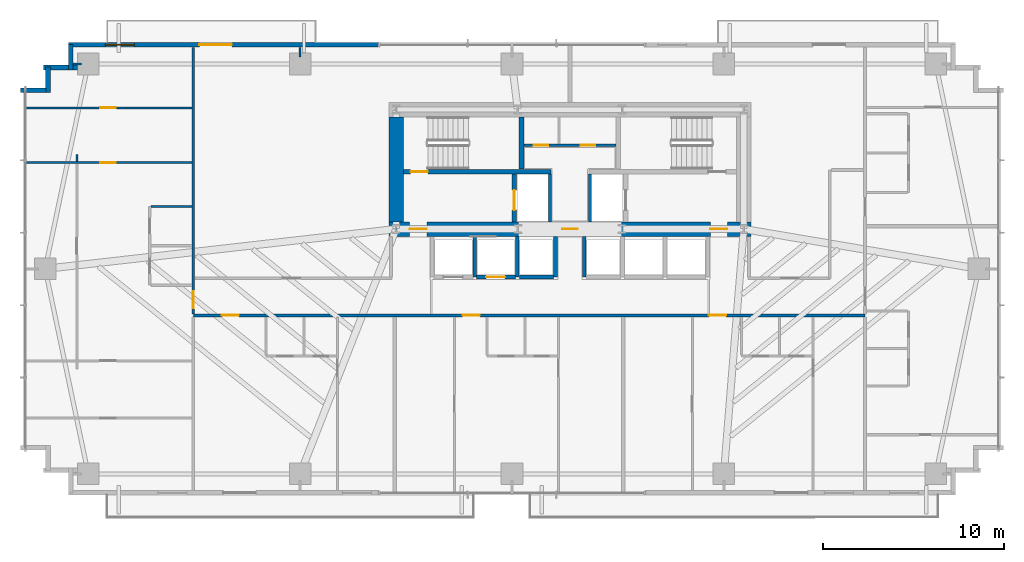
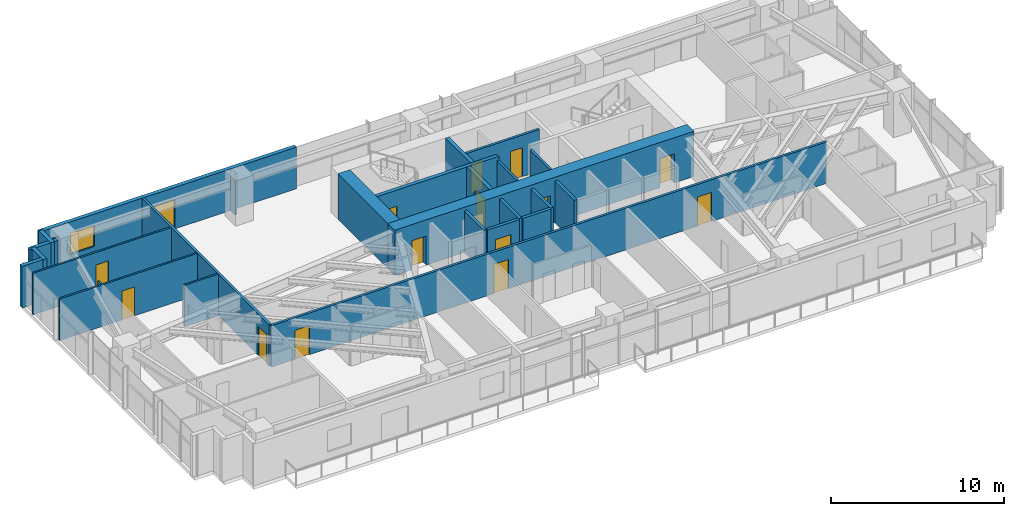
# One storey, part 20 of 25: 27 walls, 15 doors, 1 window, 16 openings.
"""IFC4 building model written with IfcOpenShell, lengths in metres."""

from ifc_helpers import new_model, si_unit, direction, frame, frame_2d, origin, place, context, subcontext, project, spatial, rectangle, extrude, source, transform, mapped, material, layer, layer_set, type_object, type_shapes, element, fill, save


model = new_model("IFC4")

# Units and contexts
model_context = context("Model", 3, precision=1e-05, world=origin(), true_north=direction((0.0, 1.0)))
body_context = subcontext(model_context, "Body", "Model", "MODEL_VIEW")
ifc_project = project(units=[si_unit("LENGTHUNIT", "METRE"), si_unit("AREAUNIT", "SQUARE_METRE"), si_unit("VOLUMEUNIT", "CUBIC_METRE"), si_unit("PLANEANGLEUNIT", "RADIAN"), si_unit("MASSUNIT", "GRAM", prefix="KILO")], contexts=[model_context])

# Site, building, storey
site_placement = place(None, origin())
site = spatial("IfcSite", under=ifc_project, at=site_placement, CompositionType="ELEMENT")
building_placement = place(site_placement, origin())
building = spatial("IfcBuilding", under=site, at=building_placement, Name="Astriad Promenade Condominiums", CompositionType="ELEMENT")
storey_placement = place(building_placement, frame((0.0, 0.0, 45.39990234375)))
storey = spatial("IfcBuildingStorey", under=building, at=storey_placement, Name="L12", CompositionType="ELEMENT", Elevation=45.39990234375)

# Wall, openings, doors
ifc_material_1 = material(Name="Concrete C80/95", Category="concrete")
ifc_layer_1 = layer(ifc_material_1, 0.800048828125)
ifc_layer_set_1 = layer_set([ifc_layer_1], Name="Concrete C80/95")
wall_type_1 = type_object("IfcWallType", Name="CW-SHEAR-800", PredefinedType="SHEAR", material=ifc_layer_set_1)
wall_1_placement = place(storey_placement, frame((26.0, 17.39990234375, 0.0), z_axis=(0.0, 0.0, 1.0), x_axis=(1.0, 0.0, 0.0)))
wall_1 = element("IfcWall", 1, at=wall_1_placement, inside=storey, type_object=wall_type_1, Name="CW-CORE-S-L12", PredefinedType="SHEAR", context=body_context, shape_type="SweptSolid", body=[
    extrude(rectangle(XDim=20.0, YDim=0.800048828125, at=frame_2d((10.0, 0.0))), origin(), (0.0, 0.0, 1.0), 3.2001953125),
])
opening_1_placement = place(wall_1_placement, frame((1.14990234375, 0.0, 0.0)))
opening_1 = element("IfcOpeningElement", 2, at=opening_1_placement, cuts=wall_1, Name="Opening FD90-ST-095", PredefinedType="OPENING", context=body_context, shape_type="SweptSolid", body=[
    extrude(rectangle(XDim=0.949951171875, YDim=2.06005859375, at=frame_2d((0.47509765625, 1.030029296875))), frame((0.0, 0.409912109375, 0.0), z_axis=(0.0, -1.0, 0.0), x_axis=(1.0, 0.0, 0.0)), (0.0, 0.0, 1.0), 0.820068359375),
])
opening_2_placement = place(wall_1_placement, frame((9.580078125, 0.0, 0.0)))
opening_2 = element("IfcOpeningElement", 3, at=opening_2_placement, cuts=wall_1, Name="Opening FD60-ULOW-085", PredefinedType="OPENING", context=body_context, shape_type="SweptSolid", body=[
    extrude(rectangle(XDim=0.85009765625, YDim=2.0, at=frame_2d((0.425048828125, 1.0))), frame((0.0, 0.409912109375, 0.0), z_axis=(0.0, -1.0, 0.0), x_axis=(1.0, 0.0, 0.0)), (0.0, 0.0, 1.0), 0.820068359375),
])
opening_3_placement = place(wall_1_placement, frame((17.75, 0.0, 0.0)))
opening_3 = element("IfcOpeningElement", 4, at=opening_3_placement, cuts=wall_1, Name="Opening FD90-ST-095", PredefinedType="OPENING", context=body_context, shape_type="SweptSolid", body=[
    extrude(rectangle(XDim=0.949951171875, YDim=2.06005859375, at=frame_2d((0.47509765625, 1.030029296875))), frame((0.0, 0.409912109375, 0.0), z_axis=(0.0, -1.0, 0.0), x_axis=(1.0, 0.0, 0.0)), (0.0, 0.0, 1.0), 0.820068359375),
])
ifc_material_2 = material(Name="Fire-Rated Hollow Metal Stair Door")
door_type_1 = type_object("IfcDoorType", Name="FD90-ST-095", OperationType="NOTDEFINED", PredefinedType="DOOR", material=ifc_material_2)
shared_shape_1 = source(origin(), body_context, "Body", "SweptSolid", [
    extrude(rectangle(XDim=0.949951171875, YDim=2.06005859375, at=frame_2d((0.47509765625, 1.030029296875))), frame((0.0, 0.02490234375, 0.0), z_axis=(0.0, -1.0, 0.0), x_axis=(1.0, 0.0, 0.0)), (0.0, 0.0, 1.0), 0.050048828125),
])
type_shapes(door_type_1, [shared_shape_1])
door_1_placement = place(opening_1_placement, origin())
door_1 = element("IfcDoor", 5, at=door_1_placement, inside=storey, type_object=door_type_1, Name="D-FFW-L12", OperationType="SINGLE_SWING_LEFT", OverallHeight=2.06005859375, OverallWidth=0.949951171875, PredefinedType="DOOR", context=body_context, shape_type="MappedRepresentation", body=[
    mapped(shared_shape_1, transform((0.0, 0.0, 0.0), scale=1.0)),
])
fill(opening_1, door_1)
door_2_placement = place(opening_3_placement, origin())
door_2 = element("IfcDoor", 6, at=door_2_placement, inside=storey, type_object=door_type_1, Name="D-FFE-L12", OperationType="SINGLE_SWING_RIGHT", OverallHeight=2.06005859375, OverallWidth=0.949951171875, PredefinedType="DOOR", context=body_context, shape_type="MappedRepresentation", body=[
    mapped(shared_shape_1, transform((0.0, 0.0, 0.0), scale=1.0)),
])
fill(opening_3, door_2)
ifc_material_3 = material(Name="Solid-Core Low-Headroom Fire Door")
door_type_2 = type_object("IfcDoorType", Name="FD60-ULOW-085", OperationType="NOTDEFINED", PredefinedType="DOOR", material=ifc_material_3)
shared_shape_2 = source(origin(), body_context, "Body", "SweptSolid", [
    extrude(rectangle(XDim=0.85009765625, YDim=2.0, at=frame_2d((0.425048828125, 1.0))), frame((0.0, 0.02490234375, 0.0), z_axis=(0.0, -1.0, 0.0), x_axis=(1.0, 0.0, 0.0)), (0.0, 0.0, 1.0), 0.050048828125),
])
type_shapes(door_type_2, [shared_shape_2])
door_3_placement = place(opening_2_placement, origin())
door_3 = element("IfcDoor", 7, at=door_3_placement, inside=storey, type_object=door_type_2, Name="D-CSL-L12", OperationType="SINGLE_SWING_RIGHT", OverallHeight=2.0, OverallWidth=0.85009765625, PredefinedType="DOOR", context=body_context, shape_type="MappedRepresentation", body=[
    mapped(shared_shape_2, transform((0.0, 0.0, 0.0), scale=1.0)),
])
fill(opening_2, door_3)

# Wall
wall_2_placement = place(storey_placement, frame((26.39990234375, 17.802001953125, 0.0), z_axis=(0.0, 0.0, 1.0), x_axis=(0.0, 1.0, 0.0)))
element("IfcWall", 8, at=wall_2_placement, inside=storey, type_object=wall_type_1, Name="CW-CORE-W-L12", PredefinedType="SHEAR", context=body_context, shape_type="SweptSolid", body=[
    extrude(rectangle(XDim=5.7958984375, YDim=0.800048828125, at=frame_2d((2.89794921875, 0.0))), origin(), (0.0, 0.0, 1.0), 3.2001953125),
])

# Wall, opening, door
ifc_material_4 = material(Name="Concrete C50/60", Category="concrete")
ifc_layer_2 = layer(ifc_material_4, 0.25)
ifc_layer_set_2 = layer_set([ifc_layer_2], Name="Concrete C50/60")
wall_type_2 = type_object("IfcWallType", Name="WALL-CORE-INT-250", PredefinedType="SOLIDWALL", material=ifc_layer_set_2)
wall_3_placement = place(storey_placement, frame((26.802001953125, 20.574951171875, 0.0), z_axis=(0.0, 0.0, 1.0), x_axis=(1.0, 0.0, 0.0)))
wall_3 = element("IfcWall", 9, at=wall_3_placement, inside=storey, type_object=wall_type_2, Name="CW-INT-H1-L12", PredefinedType="SOLIDWALL", context=body_context, shape_type="SweptSolid", body=[
    extrude(rectangle(XDim=8.14794921875, YDim=0.25, at=frame_2d((4.073974609375, 0.0))), origin(), (0.0, 0.0, 1.0), 3.2001953125),
])
opening_4_placement = place(wall_3_placement, frame((0.39794921875, 0.0, 0.0)))
opening_4 = element("IfcOpeningElement", 10, at=opening_4_placement, cuts=wall_3, Name="Opening FD90-ST-095", PredefinedType="OPENING", context=body_context, shape_type="SweptSolid", body=[
    extrude(rectangle(XDim=0.949951171875, YDim=2.06005859375, at=frame_2d((0.47509765625, 1.030029296875))), frame((0.0, 0.135009765625, 0.0), z_axis=(0.0, -1.0, 0.0), x_axis=(1.0, 0.0, 0.0)), (0.0, 0.0, 1.0), 0.27001953125),
])
door_4_placement = place(opening_4_placement, origin())
door_4 = element("IfcDoor", 11, at=door_4_placement, inside=storey, type_object=door_type_1, Name="D-ST1-L12", OperationType="SINGLE_SWING_LEFT", OverallHeight=2.06005859375, OverallWidth=0.949951171875, PredefinedType="DOOR", context=body_context, shape_type="MappedRepresentation", body=[
    mapped(shared_shape_1, transform((0.0, 0.0, 0.0), scale=1.0)),
])
fill(opening_4, door_4)

# Wall
wall_4_placement = place(storey_placement, frame((33.324951171875, 20.701904296875, 0.0), z_axis=(0.0, 0.0, 1.0), x_axis=(0.0, 1.0, 0.0)))
element("IfcWall", 12, at=wall_4_placement, inside=storey, type_object=wall_type_2, Name="CW-ST1-E-L12", PredefinedType="SOLIDWALL", context=body_context, shape_type="SweptSolid", body=[
    extrude(rectangle(XDim=2.89599609375, YDim=0.25, at=frame_2d((1.447998046875, 0.0))), origin(), (0.0, 0.0, 1.0), 3.2001953125),
])

# Wall, opening, door
wall_5_placement = place(storey_placement, frame((32.925048828125, 17.802001953125, 0.0), z_axis=(0.0, 0.0, 1.0), x_axis=(0.0, 1.0, 0.0)))
wall_5 = element("IfcWall", 13, at=wall_5_placement, inside=storey, type_object=wall_type_2, Name="CW-FFL1-W-L12", PredefinedType="SOLIDWALL", context=body_context, shape_type="SweptSolid", body=[
    extrude(rectangle(XDim=2.64599609375, YDim=0.25, at=frame_2d((1.322998046875, 0.0))), origin(), (0.0, 0.0, 1.0), 3.2001953125),
])
opening_5_placement = place(wall_5_placement, frame((0.64794921875, 0.0, 0.0)))
opening_5 = element("IfcOpeningElement", 14, at=opening_5_placement, cuts=wall_5, Name="Opening LD-FFL-1122", PredefinedType="OPENING", context=body_context, shape_type="SweptSolid", body=[
    extrude(rectangle(XDim=1.10009765625, YDim=2.080078125, at=frame_2d((0.550048828125, 1.0400390625))), frame((0.0, 0.135009765625, 0.0), z_axis=(0.0, -1.0, 0.0), x_axis=(1.0, 0.0, 0.0)), (0.0, 0.0, 1.0), 0.27001953125),
])
ifc_material_5 = material(Name="Brushed Stainless Steel Fire Elevator Landing Door", Category="steel")
door_type_3 = type_object("IfcDoorType", Name="LD-FFL-1122", OperationType="NOTDEFINED", PredefinedType="DOOR", material=ifc_material_5)
shared_shape_3 = source(origin(), body_context, "Body", "SweptSolid", [
    extrude(rectangle(XDim=1.10009765625, YDim=2.080078125, at=frame_2d((0.550048828125, 1.0400390625))), frame((0.0, 0.02490234375, 0.0), z_axis=(0.0, -1.0, 0.0), x_axis=(1.0, 0.0, 0.0)), (0.0, 0.0, 1.0), 0.050048828125),
])
type_shapes(door_type_3, [shared_shape_3])
door_5_placement = place(opening_5_placement, origin())
door_5 = element("IfcDoor", 15, at=door_5_placement, inside=storey, type_object=door_type_3, Name="Elevator Landing Door FFL-1 (L12)", OperationType="SLIDING_TO_LEFT", OverallHeight=2.080078125, OverallWidth=1.10009765625, PredefinedType="DOOR", context=body_context, shape_type="MappedRepresentation", body=[
    mapped(shared_shape_3, transform((0.0, 0.0, 0.0), scale=1.0)),
])
fill(opening_5, door_5)

# Walls
ifc_material_6 = material(Name="Fire-Rated Gypsum Partition")
ifc_layer_3 = layer(ifc_material_6, 0.159912109375)
ifc_layer_set_3 = layer_set([ifc_layer_3], Name="Fire-Rated Gypsum Partition")
wall_type_3 = type_object("IfcWallType", Name="WALL-CORR-160", PredefinedType="PARTITIONING", material=ifc_layer_set_3)
for number, where, z_axis, x_axis, name in (
    (16, (34.89990234375, 17.802001953125, 0.0), (0.0, 0.0, 1.0), (0.0, 1.0, 0.0), "CW-FFL1-E-L12"),
    (17, (37.10009765625, 17.802001953125, 0.0), (0.0, 0.0, 1.0), (0.0, 1.0, 0.0), "CW-FFL2-W-L12"),
):
    element("IfcWall", number, at=place(storey_placement, frame(where, z_axis=z_axis, x_axis=x_axis)), inside=storey, type_object=wall_type_3, Name=name, PredefinedType="PARTITIONING", context=body_context, shape_type="SweptSolid", body=[
        extrude(rectangle(XDim=2.64599609375, YDim=0.159912109375, at=frame_2d((1.322998046875, 0.0))), origin(), (0.0, 0.0, 1.0), 2.940185546875),
    ])

# Wall, openings, doors
wall_6_placement = place(storey_placement, frame((33.451904296875, 22.030029296875, 0.0), z_axis=(0.0, 0.0, 1.0), x_axis=(1.0, 0.0, 0.0)))
wall_6 = element("IfcWall", 18, at=wall_6_placement, inside=storey, type_object=wall_type_3, Name="CW-AUX-N-L12", PredefinedType="PARTITIONING", context=body_context, shape_type="SweptSolid", body=[
    extrude(rectangle(XDim=5.09619140625, YDim=0.159912109375, at=frame_2d((2.548095703125, 0.0))), origin(), (0.0, 0.0, 1.0), 2.940185546875),
])
opening_6_placement = place(wall_6_placement, frame((0.5380859375, 0.0, 0.0)))
opening_6 = element("IfcOpeningElement", 19, at=opening_6_placement, cuts=wall_6, Name="Opening FD60-SV-080", PredefinedType="OPENING", context=body_context, shape_type="SweptSolid", body=[
    extrude(rectangle(XDim=0.800048828125, YDim=2.050048828125, at=frame_2d((0.39990234375, 1.02490234375))), frame((0.0, 0.08984375, 0.0), z_axis=(0.0, -1.0, 0.0), x_axis=(1.0, 0.0, 0.0)), (0.0, 0.0, 1.0), 0.179931640625),
])
opening_7_placement = place(wall_6_placement, frame((3.157958984375, 0.0, 0.0)))
opening_7 = element("IfcOpeningElement", 20, at=opening_7_placement, cuts=wall_6, Name="Opening FD60-SV-080", PredefinedType="OPENING", context=body_context, shape_type="SweptSolid", body=[
    extrude(rectangle(XDim=0.800048828125, YDim=2.050048828125, at=frame_2d((0.39990234375, 1.02490234375))), frame((0.0, 0.08984375, 0.0), z_axis=(0.0, -1.0, 0.0), x_axis=(1.0, 0.0, 0.0)), (0.0, 0.0, 1.0), 0.179931640625),
])
ifc_material_7 = material(Name="Fire-Rated Riser Closet Door")
door_type_4 = type_object("IfcDoorType", Name="FD60-SV-080", OperationType="NOTDEFINED", PredefinedType="DOOR", material=ifc_material_7)
shared_shape_4 = source(origin(), body_context, "Body", "SweptSolid", [
    extrude(rectangle(XDim=0.800048828125, YDim=2.050048828125, at=frame_2d((0.39990234375, 1.02490234375))), frame((0.0, 0.02490234375, 0.0), z_axis=(0.0, -1.0, 0.0), x_axis=(1.0, 0.0, 0.0)), (0.0, 0.0, 1.0), 0.050048828125),
])
type_shapes(door_type_4, [shared_shape_4])
door_6_placement = place(opening_6_placement, origin())
door_6 = element("IfcDoor", 21, at=door_6_placement, inside=storey, type_object=door_type_4, Name="D-AUX1-L12", OperationType="SINGLE_SWING_LEFT", OverallHeight=2.050048828125, OverallWidth=0.800048828125, PredefinedType="DOOR", context=body_context, shape_type="MappedRepresentation", body=[
    mapped(shared_shape_4, transform((0.0, 0.0, 0.0), scale=1.0)),
])
fill(opening_6, door_6)
door_7_placement = place(opening_7_placement, origin())
door_7 = element("IfcDoor", 22, at=door_7_placement, inside=storey, type_object=door_type_4, Name="D-AUX2-L12", OperationType="SINGLE_SWING_RIGHT", OverallHeight=2.050048828125, OverallWidth=0.800048828125, PredefinedType="DOOR", context=body_context, shape_type="MappedRepresentation", body=[
    mapped(shared_shape_4, transform((0.0, 0.0, 0.0), scale=1.0)),
])
fill(opening_7, door_7)

wall_7_placement = place(storey_placement, frame((15.199951171875, 12.6298828125, 0.0), z_axis=(0.0, 0.0, 1.0), x_axis=(1.0, 0.0, 0.0)))
wall_7 = element("IfcWall", 23, at=wall_7_placement, inside=storey, type_object=wall_type_3, Name="PT-COR-S-L12", PredefinedType="PARTITIONING", context=body_context, shape_type="SweptSolid", body=[
    extrude(rectangle(XDim=37.10009765625, YDim=0.159912109375, at=frame_2d((18.550048828125, 0.0))), origin(), (0.0, 0.0, 1.0), 2.940185546875),
])
opening_8_placement = place(wall_7_placement, frame((1.572021484375, 0.0, 0.0)))
opening_8 = element("IfcOpeningElement", 24, at=opening_8_placement, cuts=wall_7, Name="Opening FD60-APT-095", PredefinedType="OPENING", context=body_context, shape_type="SweptSolid", body=[
    extrude(rectangle(XDim=0.949951171875, YDim=2.06005859375, at=frame_2d((0.47509765625, 1.030029296875))), frame((0.0, 0.08984375, 0.0), z_axis=(0.0, -1.0, 0.0), x_axis=(1.0, 0.0, 0.0)), (0.0, 0.0, 1.0), 0.179931640625),
])
opening_9_placement = place(wall_7_placement, frame((14.876953125, 0.0, 0.0)))
opening_9 = element("IfcOpeningElement", 25, at=opening_9_placement, cuts=wall_7, Name="Opening FD60-APT-095", PredefinedType="OPENING", context=body_context, shape_type="SweptSolid", body=[
    extrude(rectangle(XDim=0.949951171875, YDim=2.06005859375, at=frame_2d((0.47509765625, 1.030029296875))), frame((0.0, 0.08984375, 0.0), z_axis=(0.0, -1.0, 0.0), x_axis=(1.0, 0.0, 0.0)), (0.0, 0.0, 1.0), 0.179931640625),
])
opening_10_placement = place(wall_7_placement, frame((28.47607421875, 0.0, 0.0)))
opening_10 = element("IfcOpeningElement", 26, at=opening_10_placement, cuts=wall_7, Name="Opening FD60-APT-095", PredefinedType="OPENING", context=body_context, shape_type="SweptSolid", body=[
    extrude(rectangle(XDim=0.949951171875, YDim=2.06005859375, at=frame_2d((0.47509765625, 1.030029296875))), frame((0.0, 0.08984375, 0.0), z_axis=(0.0, -1.0, 0.0), x_axis=(1.0, 0.0, 0.0)), (0.0, 0.0, 1.0), 0.179931640625),
])
ifc_material_8 = material(Name="Solid-Core Acoustic Timber Residence Entry Door", Category="wood")
door_type_5 = type_object("IfcDoorType", Name="FD60-APT-095", OperationType="NOTDEFINED", PredefinedType="DOOR", material=ifc_material_8)
shared_shape_5 = source(origin(), body_context, "Body", "SweptSolid", [
    extrude(rectangle(XDim=0.949951171875, YDim=2.06005859375, at=frame_2d((0.47509765625, 1.030029296875))), frame((0.0, 0.02490234375, 0.0), z_axis=(0.0, -1.0, 0.0), x_axis=(1.0, 0.0, 0.0)), (0.0, 0.0, 1.0), 0.050048828125),
])
type_shapes(door_type_5, [shared_shape_5])
door_8_placement = place(opening_8_placement, origin())
door_8 = element("IfcDoor", 27, at=door_8_placement, inside=storey, type_object=door_type_5, Name="D-ENT-L12-S1", OperationType="SINGLE_SWING_LEFT", OverallHeight=2.06005859375, OverallWidth=0.949951171875, PredefinedType="DOOR", context=body_context, shape_type="MappedRepresentation", body=[
    mapped(shared_shape_5, transform((0.0, 0.0, 0.0), scale=1.0)),
])
fill(opening_8, door_8)
door_9_placement = place(opening_9_placement, origin())
door_9 = element("IfcDoor", 28, at=door_9_placement, inside=storey, type_object=door_type_5, Name="D-ENT-L12-S2", OperationType="SINGLE_SWING_RIGHT", OverallHeight=2.06005859375, OverallWidth=0.949951171875, PredefinedType="DOOR", context=body_context, shape_type="MappedRepresentation", body=[
    mapped(shared_shape_5, transform((0.0, 0.0, 0.0), scale=1.0)),
])
fill(opening_9, door_9)
door_10_placement = place(opening_10_placement, origin())
door_10 = element("IfcDoor", 29, at=door_10_placement, inside=storey, type_object=door_type_5, Name="D-ENT-L12-S3", OperationType="SINGLE_SWING_LEFT", OverallHeight=2.06005859375, OverallWidth=0.949951171875, PredefinedType="DOOR", context=body_context, shape_type="MappedRepresentation", body=[
    mapped(shared_shape_5, transform((0.0, 0.0, 0.0), scale=1.0)),
])
fill(opening_10, door_10)

# Wall, opening, door
wall_8_placement = place(storey_placement, frame((15.199951171875, 12.7119140625, 0.0), z_axis=(0.0, 0.0, 1.0), x_axis=(0.0, 1.0, 0.0)))
wall_8 = element("IfcWall", 30, at=wall_8_placement, inside=storey, type_object=wall_type_3, Name="PT-COR-W-L12-S2", PredefinedType="PARTITIONING", context=body_context, shape_type="SweptSolid", body=[
    extrude(rectangle(XDim=14.72607421875, YDim=0.159912109375, at=frame_2d((7.363037109375, 0.0))), origin(), (0.0, 0.0, 1.0), 2.940185546875),
])
opening_11_placement = place(wall_8_placement, frame((0.31201171875, 0.0, 0.0)))
opening_11 = element("IfcOpeningElement", 31, at=opening_11_placement, cuts=wall_8, Name="Opening FD60-APT-095", PredefinedType="OPENING", context=body_context, shape_type="SweptSolid", body=[
    extrude(rectangle(XDim=0.949951171875, YDim=2.06005859375, at=frame_2d((0.47509765625, 1.030029296875))), frame((0.0, 0.08984375, 0.0), z_axis=(0.0, -1.0, 0.0), x_axis=(1.0, 0.0, 0.0)), (0.0, 0.0, 1.0), 0.179931640625),
])
door_11_placement = place(opening_11_placement, origin())
door_11 = element("IfcDoor", 32, at=door_11_placement, inside=storey, type_object=door_type_5, Name="D-ENT-L12-W1", OperationType="SINGLE_SWING_LEFT", OverallHeight=2.06005859375, OverallWidth=0.949951171875, PredefinedType="DOOR", context=body_context, shape_type="MappedRepresentation", body=[
    mapped(shared_shape_5, transform((0.0, 0.0, 0.0), scale=1.0)),
])
fill(opening_11, door_11)

# Walls
ifc_material_9 = material(Name="Precast concrete C50/60", Category="concrete")
ifc_layer_4 = layer(ifc_material_9, 0.260009765625)
ifc_layer_set_4 = layer_set([ifc_layer_4], Name="Precast concrete C50/60")
wall_type_4 = type_object("IfcWallType", Name="WALL-EXT-TWR-260", PredefinedType="STANDARD", material=ifc_layer_set_4)
for number, where, z_axis, x_axis, name in (
    (33, (5.669921875, 25.070068359375, 0.0), (0.0, 0.0, 1.0), (1.0, 0.0, 0.0), "W-SER-L12-04"),
    (34, (7.179931640625, 24.93994140625, 0.0), (0.0, 0.0, 1.0), (0.0, 1.0, 0.0), "W-SER-L12-05"),
):
    element("IfcWall", number, at=place(storey_placement, frame(where, z_axis=z_axis, x_axis=x_axis)), inside=storey, type_object=wall_type_4, Name=name, PredefinedType="STANDARD", context=body_context, shape_type="SweptSolid", body=[
        extrude(rectangle(XDim=1.39501953125, YDim=0.260009765625, at=frame_2d((0.697509765625, 0.0))), origin(), (0.0, 0.0, 1.0), 2.940185546875),
    ])
wall_9_placement = place(storey_placement, frame((6.919921875, 26.320068359375, 0.0), z_axis=(0.0, 0.0, 1.0), x_axis=(1.0, 0.0, 0.0)))
element("IfcWall", 35, at=wall_9_placement, inside=storey, type_object=wall_type_4, Name="W-SER-L12-06", PredefinedType="STANDARD", context=body_context, shape_type="SweptSolid", body=[
    extrude(rectangle(XDim=1.878173828125, YDim=0.260009765625, at=frame_2d((0.93896484375, 0.0))), origin(), (0.0, 0.0, 1.0), 2.940185546875),
])
wall_10_placement = place(storey_placement, frame((8.429931640625, 26.18994140625, 0.0), z_axis=(0.0, 0.0, 1.0), x_axis=(0.0, 1.0, 0.0)))
element("IfcWall", 36, at=wall_10_placement, inside=storey, type_object=wall_type_4, Name="W-SER-L12-07", PredefinedType="STANDARD", context=body_context, shape_type="SweptSolid", body=[
    extrude(rectangle(XDim=1.39501953125, YDim=0.260009765625, at=frame_2d((0.697509765625, 0.0))), origin(), (0.0, 0.0, 1.0), 2.940185546875),
])

# Wall, openings, door, window
wall_11_placement = place(storey_placement, frame((8.300048828125, 27.570068359375, 0.0), z_axis=(0.0, 0.0, 1.0), x_axis=(1.0, 0.0, 0.0)))
wall_11 = element("IfcWall", 37, at=wall_11_placement, inside=storey, type_object=wall_type_4, Name="W-EXT-L12-N1", PredefinedType="STANDARD", context=body_context, shape_type="SweptSolid", body=[
    extrude(rectangle(XDim=17.14990234375, YDim=0.260009765625, at=frame_2d((8.574951171875, 0.0))), origin(), (0.0, 0.0, 1.0), 2.940185546875),
])
opening_12_placement = place(wall_11_placement, frame((7.236083984375, 0.0, 0.0)))
opening_12 = element("IfcOpeningElement", 38, at=opening_12_placement, cuts=wall_11, Name="Opening BD-1822-SLD", PredefinedType="OPENING", context=body_context, shape_type="SweptSolid", body=[
    extrude(rectangle(XDim=1.800048828125, YDim=2.06005859375, at=frame_2d((0.89990234375, 1.030029296875))), frame((0.0, 0.139892578125, 0.0), z_axis=(0.0, -1.0, 0.0), x_axis=(1.0, 0.0, 0.0)), (0.0, 0.0, 1.0), 0.280029296875),
])
opening_13_placement = place(wall_11_placement, frame((2.050048828125, 0.0, 0.64990234375)))
opening_13 = element("IfcOpeningElement", 39, at=opening_13_placement, cuts=wall_11, Name="Opening WIN-TWR-1620", PredefinedType="OPENING", context=body_context, shape_type="SweptSolid", body=[
    extrude(rectangle(XDim=1.60009765625, YDim=1.5, at=frame_2d((0.800048828125, 0.75))), frame((0.0, 0.139892578125, 0.0), z_axis=(0.0, -1.0, 0.0), x_axis=(1.0, 0.0, 0.0)), (0.0, 0.0, 1.0), 0.280029296875),
])
ifc_material_10 = material(Name="Thermally Broken Aluminium Sliding Balcony Door", Category="aluminium")
door_type_6 = type_object("IfcDoorType", Name="BD-1822-SLD", OperationType="NOTDEFINED", PredefinedType="DOOR", material=ifc_material_10)
shared_shape_6 = source(origin(), body_context, "Body", "SweptSolid", [
    extrude(rectangle(XDim=1.800048828125, YDim=2.06005859375, at=frame_2d((0.89990234375, 1.030029296875))), frame((0.0, 0.02490234375, 0.0), z_axis=(0.0, -1.0, 0.0), x_axis=(1.0, 0.0, 0.0)), (0.0, 0.0, 1.0), 0.050048828125),
])
type_shapes(door_type_6, [shared_shape_6])
door_12_placement = place(opening_12_placement, origin())
door_12 = element("IfcDoor", 40, at=door_12_placement, inside=storey, type_object=door_type_6, Name="BD-L12-NW", OperationType="SLIDING_TO_LEFT", OverallHeight=2.06005859375, OverallWidth=1.800048828125, PredefinedType="DOOR", context=body_context, shape_type="MappedRepresentation", body=[
    mapped(shared_shape_6, transform((0.0, 0.0, 0.0), scale=1.0)),
])
fill(opening_12, door_12)
ifc_material_11 = material(Name="Dark Tinted Triple-Glazed Aluminium Window", Category="aluminium")
window_type = type_object("IfcWindowType", Name="WIN-TWR-1620", PartitioningType="SINGLE_PANEL", PredefinedType="WINDOW", material=ifc_material_11)
shared_shape_7 = source(origin(), body_context, "Body", "SweptSolid", [
    extrude(rectangle(XDim=1.60009765625, YDim=1.5, at=frame_2d((0.800048828125, 0.75))), frame((0.0, 0.030029296875, 0.0), z_axis=(0.0, -1.0, 0.0), x_axis=(1.0, 0.0, 0.0)), (0.0, 0.0, 1.0), 0.06005859375),
])
type_shapes(window_type, [shared_shape_7])
window_placement = place(opening_13_placement, origin())
window = element("IfcWindow", 41, at=window_placement, inside=storey, type_object=window_type, Name="WIN-L12-NW", OverallHeight=1.5, OverallWidth=1.60009765625, PartitioningType="SINGLE_PANEL", PredefinedType="WINDOW", context=body_context, shape_type="MappedRepresentation", body=[
    mapped(shared_shape_7, transform((0.0, 0.0, 0.0), scale=1.0)),
])
fill(opening_13, window)

# Wall
ifc_material_12 = material(Name="Acoustic Metal-Stud Gypsum Partition")
ifc_layer_5 = layer(ifc_material_12, 0.1201171875)
ifc_layer_set_5 = layer_set([ifc_layer_5], Name="Acoustic Metal-Stud Gypsum Partition")
wall_type_5 = type_object("IfcWallType", Name="WALL-PART-120", PredefinedType="PARTITIONING", material=ifc_layer_set_5)
wall_12_placement = place(storey_placement, frame((12.862060546875, 18.64892578125, 0.0), z_axis=(0.0, 0.0, 1.0), x_axis=(1.0, 0.0, 0.0)))
element("IfcWall", 42, at=wall_12_placement, inside=storey, type_object=wall_type_5, Name="PT-L12-W1-PN", PredefinedType="PARTITIONING", context=body_context, shape_type="SweptSolid", body=[
    extrude(rectangle(XDim=2.255859375, YDim=0.1201171875, at=frame_2d((1.1279296875, 0.0))), origin(), (0.0, 0.0, 1.0), 2.940185546875),
])

# Wall, opening, door
wall_13_placement = place(storey_placement, frame((5.8798828125, 24.090087890625, 0.0), z_axis=(0.0, 0.0, 1.0), x_axis=(1.0, 0.0, 0.0)))
wall_13 = element("IfcWall", 43, at=wall_13_placement, inside=storey, type_object=wall_type_5, Name="PT-L12-W1-B1", PredefinedType="PARTITIONING", context=body_context, shape_type="SweptSolid", body=[
    extrude(rectangle(XDim=9.238037109375, YDim=0.1201171875, at=frame_2d((4.619140625, 0.0))), origin(), (0.0, 0.0, 1.0), 2.940185546875),
])
opening_14_placement = place(wall_13_placement, frame((4.18505859375, 0.0, 0.0)))
opening_14 = element("IfcOpeningElement", 44, at=opening_14_placement, cuts=wall_13, Name="Opening D-INT-085", PredefinedType="OPENING", context=body_context, shape_type="SweptSolid", body=[
    extrude(rectangle(XDim=0.85009765625, YDim=2.050048828125, at=frame_2d((0.425048828125, 1.02490234375))), frame((0.0, 0.070068359375, 0.0), z_axis=(0.0, -1.0, 0.0), x_axis=(1.0, 0.0, 0.0)), (0.0, 0.0, 1.0), 0.14013671875),
])
ifc_material_13 = material(Name="Painted Solid-Core Timber Room Door", Category="wood")
door_type_7 = type_object("IfcDoorType", Name="D-INT-085", OperationType="NOTDEFINED", PredefinedType="DOOR", material=ifc_material_13)
shared_shape_8 = source(origin(), body_context, "Body", "SweptSolid", [
    extrude(rectangle(XDim=0.85009765625, YDim=2.050048828125, at=frame_2d((0.425048828125, 1.02490234375))), frame((0.0, 0.02490234375, 0.0), z_axis=(0.0, -1.0, 0.0), x_axis=(1.0, 0.0, 0.0)), (0.0, 0.0, 1.0), 0.050048828125),
])
type_shapes(door_type_7, [shared_shape_8])
door_13_placement = place(opening_14_placement, origin())
door_13 = element("IfcDoor", 45, at=door_13_placement, inside=storey, type_object=door_type_7, Name="D-BD1-L12-W1", OperationType="SINGLE_SWING_RIGHT", OverallHeight=2.050048828125, OverallWidth=0.85009765625, PredefinedType="DOOR", context=body_context, shape_type="MappedRepresentation", body=[
    mapped(shared_shape_8, transform((0.0, 0.0, 0.0), scale=1.0)),
])
fill(opening_14, door_13)

wall_14_placement = place(storey_placement, frame((5.8798828125, 21.070068359375, 0.0), z_axis=(0.0, 0.0, 1.0), x_axis=(1.0, 0.0, 0.0)))
wall_14 = element("IfcWall", 46, at=wall_14_placement, inside=storey, type_object=wall_type_5, Name="PT-L12-W1-WDN3", PredefinedType="PARTITIONING", context=body_context, shape_type="SweptSolid", body=[
    extrude(rectangle(XDim=9.238037109375, YDim=0.1201171875, at=frame_2d((4.619140625, 0.0))), origin(), (0.0, 0.0, 1.0), 2.940185546875),
])
opening_15_placement = place(wall_14_placement, frame((4.18505859375, 0.0, 0.0)))
opening_15 = element("IfcOpeningElement", 47, at=opening_15_placement, cuts=wall_14, Name="Opening D-INT-085", PredefinedType="OPENING", context=body_context, shape_type="SweptSolid", body=[
    extrude(rectangle(XDim=0.85009765625, YDim=2.050048828125, at=frame_2d((0.425048828125, 1.02490234375))), frame((0.0, 0.070068359375, 0.0), z_axis=(0.0, -1.0, 0.0), x_axis=(1.0, 0.0, 0.0)), (0.0, 0.0, 1.0), 0.14013671875),
])
door_14_placement = place(opening_15_placement, origin())
door_14 = element("IfcDoor", 48, at=door_14_placement, inside=storey, type_object=door_type_7, Name="D-WDN3-L12-W1", OperationType="SINGLE_SWING_LEFT", OverallHeight=2.050048828125, OverallWidth=0.85009765625, PredefinedType="DOOR", context=body_context, shape_type="MappedRepresentation", body=[
    mapped(shared_shape_8, transform((0.0, 0.0, 0.0), scale=1.0)),
])
fill(opening_15, door_14)

# Walls
wall_15_placement = place(storey_placement, frame((8.77490234375, 21.132080078125, 0.0), z_axis=(0.0, 0.0, 1.0), x_axis=(0.0, 1.0, 0.0)))
element("IfcWall", 49, at=wall_15_placement, inside=storey, type_object=wall_type_5, Name="PT-L12-W1-WDV4-S3", PredefinedType="PARTITIONING", context=body_context, shape_type="SweptSolid", body=[
    extrude(rectangle(XDim=0.3779296875, YDim=0.1201171875, at=frame_2d((0.18896484375, 0.0))), origin(), (0.0, 0.0, 1.0), 2.940185546875),
])
wall_16_placement = place(storey_placement, frame((9.02001953125, 26.52001953125, 0.0), z_axis=(0.0, 0.0, 1.0), x_axis=(-1.0, 0.0, 0.0)))
element("IfcWall", 50, at=wall_16_placement, inside=storey, type_object=wall_type_5, Name="PT-PIL-L12-PC06-13", PredefinedType="PARTITIONING", context=body_context, shape_type="SweptSolid", body=[
    extrude(rectangle(XDim=0.4580078125, YDim=0.1201171875, at=frame_2d((0.22900390625, 0.0))), origin(), (0.0, 0.0, 1.0), 2.940185546875),
])
wall_17_placement = place(storey_placement, frame((21.10009765625, 26.89990234375, 0.0), z_axis=(0.0, 0.0, 1.0), x_axis=(0.0, 1.0, 0.0)))
element("IfcWall", 51, at=wall_17_placement, inside=storey, type_object=wall_type_5, Name="PT-PIL-L12-PC07-14", PredefinedType="PARTITIONING", context=body_context, shape_type="SweptSolid", body=[
    extrude(rectangle(XDim=0.5380859375, YDim=0.1201171875, at=frame_2d((0.26904296875, 0.0))), origin(), (0.0, 0.0, 1.0), 2.940185546875),
])
ifc_material_14 = material(Name="Gypsum Shaftliner Assembly")
ifc_layer_6 = layer(ifc_material_14, 0.199951171875)
ifc_layer_set_6 = layer_set([ifc_layer_6], Name="Gypsum Shaftliner Assembly")
wall_type_6 = type_object("IfcWallType", Name="WALL-SHAFT-200", PredefinedType="PARTITIONING", material=ifc_layer_set_6)
for number, where, z_axis, x_axis, name in (
    (52, (30.75, 14.75, 0.0), (0.0, 0.0, 1.0), (0.0, 1.0, 0.0), "PL-L-DIV-L12"),
    (53, (33.10009765625, 14.75, 0.0), (0.0, 0.0, 1.0), (0.0, 1.0, 0.0), "PL-LM-DIV-L12"),
):
    element("IfcWall", number, at=place(storey_placement, frame(where, z_axis=z_axis, x_axis=x_axis)), inside=storey, type_object=wall_type_6, Name=name, PredefinedType="PARTITIONING", context=body_context, shape_type="SweptSolid", body=[
        extrude(rectangle(XDim=2.248046875, YDim=0.199951171875, at=frame_2d((1.1240234375, 0.0))), origin(), (0.0, 0.0, 1.0), 2.940185546875),
    ])

# Wall, opening, door
wall_18_placement = place(storey_placement, frame((30.85205078125, 14.75, 0.0), z_axis=(0.0, 0.0, 1.0), x_axis=(1.0, 0.0, 0.0)))
wall_18 = element("IfcWall", 54, at=wall_18_placement, inside=storey, type_object=wall_type_6, Name="PL-L-FRT-L12-S2", PredefinedType="PARTITIONING", context=body_context, shape_type="SweptSolid", body=[
    extrude(rectangle(XDim=2.14599609375, YDim=0.199951171875, at=frame_2d((1.072998046875, 0.0))), origin(), (0.0, 0.0, 1.0), 2.940185546875),
])
opening_16_placement = place(wall_18_placement, frame((0.52294921875, 0.0, 0.0)))
opening_16 = element("IfcOpeningElement", 55, at=opening_16_placement, cuts=wall_18, Name="Opening LD-PL-10522", PredefinedType="OPENING", context=body_context, shape_type="SweptSolid", body=[
    extrude(rectangle(XDim=1.050048828125, YDim=2.080078125, at=frame_2d((0.52490234375, 1.0400390625))), frame((0.0, 0.10986328125, 0.0), z_axis=(0.0, -1.0, 0.0), x_axis=(1.0, 0.0, 0.0)), (0.0, 0.0, 1.0), 0.219970703125),
])
ifc_material_15 = material(Name="Brushed Bronze Passenger Elevator Landing Door")
door_type_8 = type_object("IfcDoorType", Name="LD-PL-10522", OperationType="NOTDEFINED", PredefinedType="DOOR", material=ifc_material_15)
shared_shape_9 = source(origin(), body_context, "Body", "SweptSolid", [
    extrude(rectangle(XDim=1.050048828125, YDim=2.080078125, at=frame_2d((0.52490234375, 1.0400390625))), frame((0.0, 0.02490234375, 0.0), z_axis=(0.0, -1.0, 0.0), x_axis=(1.0, 0.0, 0.0)), (0.0, 0.0, 1.0), 0.050048828125),
])
type_shapes(door_type_8, [shared_shape_9])
door_15_placement = place(opening_16_placement, origin())
door_15 = element("IfcDoor", 56, at=door_15_placement, inside=storey, type_object=door_type_8, Name="Elevator Landing Door PL-L2 (L12)", OperationType="SLIDING_TO_RIGHT", OverallHeight=2.080078125, OverallWidth=1.050048828125, PredefinedType="DOOR", context=body_context, shape_type="MappedRepresentation", body=[
    mapped(shared_shape_9, transform((0.0, 0.0, 0.0), scale=1.0)),
])
fill(opening_16, door_15)

# Walls
wall_19_placement = place(storey_placement, frame((35.199951171875, 14.75, 0.0), z_axis=(0.0, 0.0, 1.0), x_axis=(0.0, 1.0, 0.0)))
element("IfcWall", 57, at=wall_19_placement, inside=storey, type_object=wall_type_6, Name="PL-M1-E-L12", PredefinedType="PARTITIONING", context=body_context, shape_type="SweptSolid", body=[
    extrude(rectangle(XDim=2.248046875, YDim=0.199951171875, at=frame_2d((1.1240234375, 0.0))), origin(), (0.0, 0.0, 1.0), 2.940185546875),
])
wall_20_placement = place(storey_placement, frame((33.201904296875, 14.75, 0.0), z_axis=(0.0, 0.0, 1.0), x_axis=(1.0, 0.0, 0.0)))
element("IfcWall", 58, at=wall_20_placement, inside=storey, type_object=wall_type_6, Name="PL-M1-F-L12", PredefinedType="PARTITIONING", context=body_context, shape_type="SweptSolid", body=[
    extrude(rectangle(XDim=1.89599609375, YDim=0.199951171875, at=frame_2d((0.947998046875, 0.0))), origin(), (0.0, 0.0, 1.0), 2.940185546875),
])
wall_21_placement = place(storey_placement, frame((36.800048828125, 14.75, 0.0), z_axis=(0.0, 0.0, 1.0), x_axis=(0.0, 1.0, 0.0)))
element("IfcWall", 59, at=wall_21_placement, inside=storey, type_object=wall_type_6, Name="PL-M2-W-L12", PredefinedType="PARTITIONING", context=body_context, shape_type="SweptSolid", body=[
    extrude(rectangle(XDim=2.248046875, YDim=0.199951171875, at=frame_2d((1.1240234375, 0.0))), origin(), (0.0, 0.0, 1.0), 2.940185546875),
])

save(model, "model.ifc")
